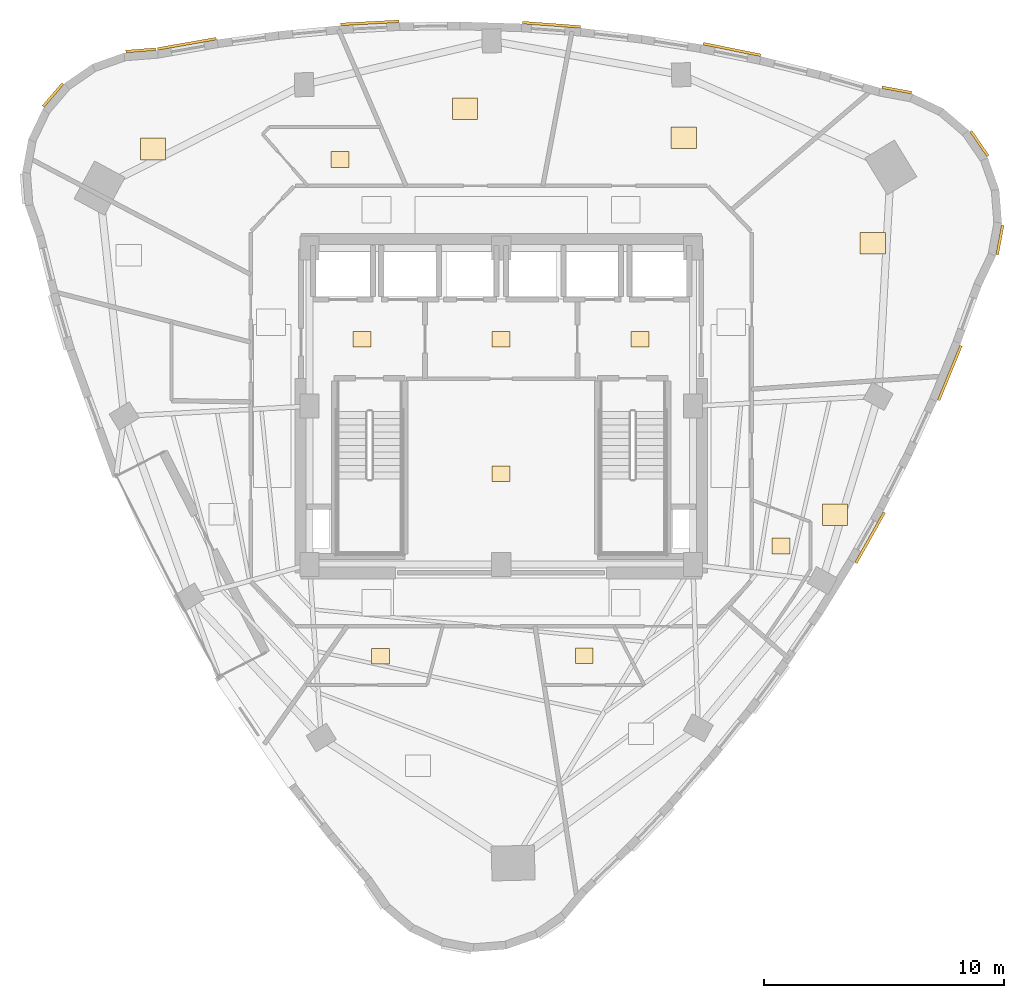
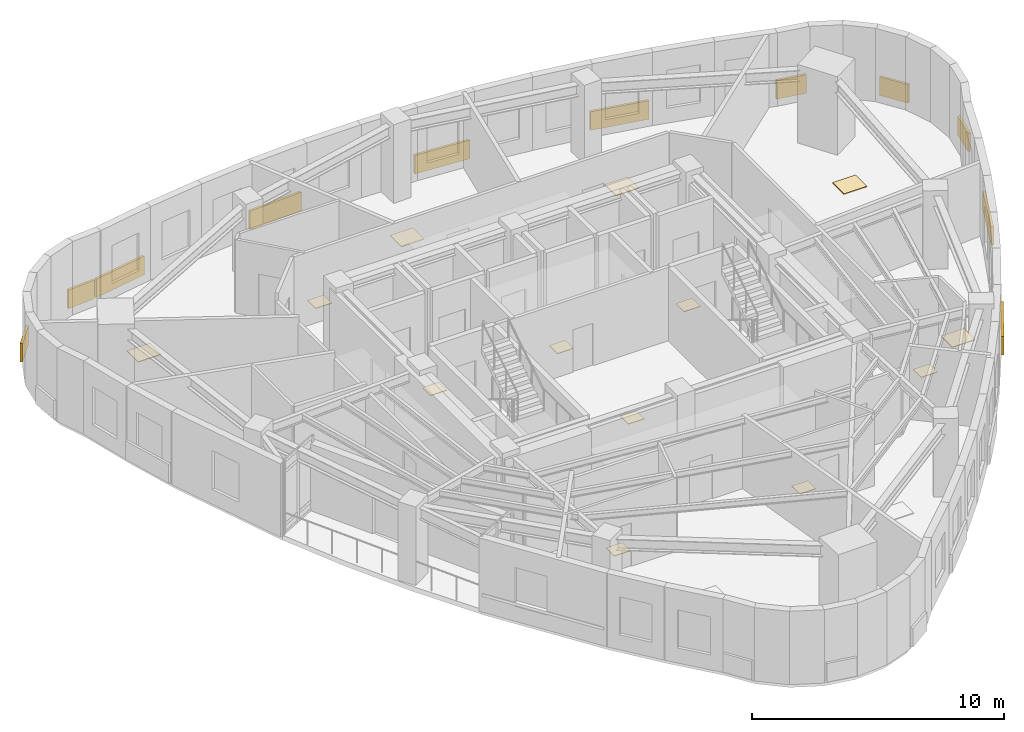
# One storey, part 12 of 12: 24 coverings.
"""IFC4 building model written with IfcOpenShell, lengths in metres."""

from ifc_helpers import new_model, si_unit, direction, frame, origin, origin_2d, place, context, subcontext, project, spatial, rectangle, extrude, material, layer, layer_set, type_object, element, save


model = new_model("IFC4")

# Units and contexts
model_context = context("Model", 3, precision=1e-05, world=origin(), true_north=direction((0.0, 1.0)))
body_context = subcontext(model_context, "Body", "Model", "MODEL_VIEW")
ifc_project = project(units=[si_unit("LENGTHUNIT", "METRE"), si_unit("AREAUNIT", "SQUARE_METRE"), si_unit("VOLUMEUNIT", "CUBIC_METRE"), si_unit("PLANEANGLEUNIT", "RADIAN"), si_unit("MASSUNIT", "GRAM", prefix="KILO")], contexts=[model_context])

# Site, building, storey
site_placement = place(None, origin())
site = spatial("IfcSite", under=ifc_project, at=site_placement, CompositionType="ELEMENT")
building_placement = place(site_placement, origin())
building = spatial("IfcBuilding", under=site, at=building_placement, Name="Ndelora Gate Hotel", CompositionType="ELEMENT")
storey_placement = place(building_placement, frame((0.0, 0.0, 201.75)))
storey = spatial("IfcBuildingStorey", under=building, at=storey_placement, Name="L50", CompositionType="ELEMENT", Elevation=201.75)

# Coverings
ifc_material_1 = material(Name="Terracotta Fired Clay Brick Slip Cladding", Category="masonry")
ifc_layer_1 = layer(ifc_material_1, 0.110107421875)
ifc_layer_set_1 = layer_set([ifc_layer_1], Name="Terracotta Fired Clay Brick Slip Cladding")
covering_type_1 = type_object("IfcCoveringType", Name="COV-CLAD-BRK", PredefinedType="CLADDING", material=ifc_layer_set_1)
covering_1_placement = place(storey_placement, frame((-15.0380859375, 14.849609375, 0.10009765625), z_axis=(0.0, 0.0, 1.0), x_axis=(0.996917333733, 0.078459095728, 0.0)))
element("IfcCovering", 1, at=covering_1_placement, inside=storey, type_object=covering_type_1, Name="L50 Rounded-Corner Brick Cladding Band 1", PredefinedType="CLADDING", context=body_context, shape_type="SweptSolid", body=[
    extrude(rectangle(XDim=1.257080078125, YDim=0.110107421875, at=origin_2d()), origin(), (0.0, 0.0, 1.0), 0.89990234375),
])
covering_2_placement = place(storey_placement, frame((-18.703125, 12.982421875, 0.10009765625), z_axis=(0.0, 0.0, 1.0), x_axis=(0.64944804833, 0.7604059656, 0.0)))
element("IfcCovering", 2, at=covering_2_placement, inside=storey, type_object=covering_type_1, Name="L50 Rounded-Corner Brick Cladding Band 4", PredefinedType="CLADDING", context=body_context, shape_type="SweptSolid", body=[
    extrude(rectangle(XDim=1.258056640625, YDim=0.110107421875, at=origin_2d()), origin(), (0.0, 0.0, 1.0), 0.89990234375),
])
covering_3_placement = place(storey_placement, frame((15.397705078125, -5.48388671875, 0.10009765625), z_axis=(0.0, 0.0, 1.0), x_axis=(0.490903753615, 0.87121381112, 0.0)))
element("IfcCovering", 3, at=covering_3_placement, inside=storey, type_object=covering_type_1, Name="L50 Rounded-Corner Brick Cladding Band 34", PredefinedType="CLADDING", context=body_context, shape_type="SweptSolid", body=[
    extrude(rectangle(XDim=2.419921875, YDim=0.110107421875, at=origin_2d()), origin(), (0.0, 0.0, 1.0), 0.89990234375),
])
covering_4_placement = place(storey_placement, frame((18.722900390625, 1.38720703125, 0.10009765625), z_axis=(0.0, 0.0, 1.0), x_axis=(0.379617633307, 0.925143476701, 0.0)))
element("IfcCovering", 4, at=covering_4_placement, inside=storey, type_object=covering_type_1, Name="L50 Rounded-Corner Brick Cladding Band 37", PredefinedType="CLADDING", context=body_context, shape_type="SweptSolid", body=[
    extrude(rectangle(XDim=2.4599609375, YDim=0.110107421875, at=origin_2d()), origin(), (0.0, 0.0, 1.0), 0.89990234375),
])
for number, where, z_axis, x_axis, name in (
    (5, (20.812744140625, 6.932861328125, 0.10009765625), (0.0, 0.0, 1.0), (0.182235525492, 0.983254907564, 0.0), "L50 Rounded-Corner Brick Cladding Band 40"),
    (6, (19.95751953125, 10.9560546875, 0.10009765625), (0.0, 0.0, 1.0), (-0.566406236925, 0.824126188622, 0.0), "L50 Rounded-Corner Brick Cladding Band 43"),
    (7, (16.508056640625, 13.1962890625, 0.10009765625), (0.0, 0.0, 1.0), (-0.983254907564, 0.182235525492, 0.0), "L50 Rounded-Corner Brick Cladding Band 46"),
):
    element("IfcCovering", number, at=place(storey_placement, frame(where, z_axis=z_axis, x_axis=x_axis)), inside=storey, type_object=covering_type_1, Name=name, PredefinedType="CLADDING", context=body_context, shape_type="SweptSolid", body=[
        extrude(rectangle(XDim=1.257080078125, YDim=0.110107421875, at=origin_2d()), origin(), (0.0, 0.0, 1.0), 0.89990234375),
    ])
covering_5_placement = place(storey_placement, frame((9.62841796875, 14.88720703125, 0.10009765625), z_axis=(0.0, 0.0, 1.0), x_axis=(-0.98040892658, 0.196972933884, 0.0)))
element("IfcCovering", 8, at=covering_5_placement, inside=storey, type_object=covering_type_1, Name="L50 Rounded-Corner Brick Cladding Band 49", PredefinedType="CLADDING", context=body_context, shape_type="SweptSolid", body=[
    extrude(rectangle(XDim=2.443115234375, YDim=0.110107421875, at=origin_2d()), origin(), (0.0, 0.0, 1.0), 0.89990234375),
])
covering_6_placement = place(storey_placement, frame((2.098388671875, 15.918212890625, 0.10009765625), z_axis=(0.0, 0.0, 1.0), x_axis=(-0.997314477224, 0.073238197128, 0.0)))
element("IfcCovering", 9, at=covering_6_placement, inside=storey, type_object=covering_type_1, Name="L50 Rounded-Corner Brick Cladding Band 52", PredefinedType="CLADDING", context=body_context, shape_type="SweptSolid", body=[
    extrude(rectangle(XDim=2.416015625, YDim=0.110107421875, at=origin_2d()), origin(), (0.0, 0.0, 1.0), 0.89990234375),
])
covering_7_placement = place(storey_placement, frame((-5.48193359375, 15.997314453125, 0.10009765625), z_axis=(0.0, 0.0, 1.0), x_axis=(0.998638653892, 0.052161661713, 0.0)))
element("IfcCovering", 10, at=covering_7_placement, inside=storey, type_object=covering_type_1, Name="L50 Rounded-Corner Brick Cladding Band 55", PredefinedType="CLADDING", context=body_context, shape_type="SweptSolid", body=[
    extrude(rectangle(XDim=2.428955078125, YDim=0.110107421875, at=origin_2d()), origin(), (0.0, 0.0, 1.0), 0.89990234375),
])
covering_8_placement = place(storey_placement, frame((-13.111083984375, 15.124267578125, 0.10009765625), z_axis=(0.0, 0.0, 1.0), x_axis=(0.984807753012, 0.173648177667, 0.0)))
element("IfcCovering", 11, at=covering_8_placement, inside=storey, type_object=covering_type_1, Name="L50 Rounded-Corner Brick Cladding Band 58", PredefinedType="CLADDING", context=body_context, shape_type="SweptSolid", body=[
    extrude(rectangle(XDim=2.48193359375, YDim=0.110107421875, at=origin_2d()), origin(), (0.0, 0.0, 1.0), 0.89990234375),
])
ifc_material_2 = material(Name="Engineered Highland Oak Parquet", Category="wood")
ifc_layer_2 = layer(ifc_material_2, 0.030029296875)
ifc_layer_set_2 = layer_set([ifc_layer_2], Name="Engineered Highland Oak Parquet")
covering_type_2 = type_object("IfcCoveringType", Name="COV-FLR-PARQ", PredefinedType="FLOORING", material=ifc_layer_set_2)
for number, where, z_axis, x_axis, name in (
    (12, (13.92919921875, -4.52099609375, 0.0), (0.0, 0.0, 1.0), (1.0, 0.0, 0.0), "L50 Diplomatic Sky Suite 5303 Oak Parquet Flooring"),
    (13, (15.507568359375, 6.798828125, 0.0), (0.0, 0.0, 1.0), (1.0, 0.0, 0.0), "L50 Summit Boardroom Office Oak Parquet Flooring"),
    (14, (7.6201171875, 11.21044921875, 0.0), (0.0, 0.0, 1.0), (1.0, 0.0, 0.0), "L50 Diplomatic Briefing Office Oak Parquet Flooring"),
    (15, (-1.505859375, 12.419921875, 0.0), (0.0, 0.0, 1.0), (1.0, 0.0, 0.0), "L50 Private Tea Cocktail Bar Oak Parquet Flooring"),
    (16, (-14.528564453125, 10.73193359375, 0.0), (0.0, 0.0, 1.0), (1.0, 0.0, 0.0), "L50 Altitude King Junior Suite 5304 Oak Parquet Flooring"),
):
    element("IfcCovering", number, at=place(storey_placement, frame(where, z_axis=z_axis, x_axis=x_axis)), inside=storey, type_object=covering_type_2, Name=name, PredefinedType="FLOORING", context=body_context, shape_type="SweptSolid", body=[
        extrude(rectangle(XDim=1.050048828125, YDim=0.89990234375, at=origin_2d()), origin(), (0.0, 0.0, 1.0), 0.030029296875),
    ])
ifc_material_3 = material(Name="Non-Slip Porcelain Wet-Room Tile", Category="ceramic")
ifc_layer_3 = layer(ifc_material_3, 0.02490234375)
ifc_layer_set_3 = layer_set([ifc_layer_3], Name="Non-Slip Porcelain Wet-Room Tile")
covering_type_3 = type_object("IfcCoveringType", Name="COV-FLR-TILE", PredefinedType="FLOORING", material=ifc_layer_set_3)
for number, where, z_axis, x_axis, name in (
    (17, (-5.800048828125, 2.800048828125, 0.0), (0.0, 0.0, 1.0), (1.0, 0.0, 0.0), "L50 Firefighting Lift Lobby West Porcelain Tile Flooring"),
    (18, (5.800048828125, 2.800048828125, 0.0), (0.0, 0.0, 1.0), (1.0, 0.0, 0.0), "L50 Firefighting Lift Lobby East Porcelain Tile Flooring"),
    (19, (0.0, 2.800048828125, 0.0), (0.0, 0.0, 1.0), (1.0, 0.0, 0.0), "L50 Central Passenger Lift Lobby Porcelain Tile Flooring"),
    (20, (0.0, -2.824951171875, 0.0), (0.0, 0.0, 1.0), (1.0, 0.0, 0.0), "L50 Core Electrical and Linen Service Store Porcelain Tile Flooring"),
    (21, (-5.040771484375, -10.436279296875, 0.0), (0.0, 0.0, 1.0), (1.0, 0.0, 0.0), "L50 En-suite Bathroom 5301 Porcelain Tile Flooring"),
    (22, (3.466796875, -10.405029296875, 0.0), (0.0, 0.0, 1.0), (1.0, 0.0, 0.0), "L50 En-suite Bathroom 5302 Porcelain Tile Flooring"),
    (23, (11.675048828125, -5.831787109375, 0.0), (0.0, 0.0, 1.0), (1.0, 0.0, 0.0), "L50 En-suite Bathroom 5303 Porcelain Tile Flooring"),
    (24, (-6.732177734375, 10.29443359375, 0.0), (0.0, 0.0, 1.0), (1.0, 0.0, 0.0), "L50 En-suite Bathroom 5304 Porcelain Tile Flooring"),
):
    element("IfcCovering", number, at=place(storey_placement, frame(where, z_axis=z_axis, x_axis=x_axis)), inside=storey, type_object=covering_type_3, Name=name, PredefinedType="FLOORING", context=body_context, shape_type="SweptSolid", body=[
        extrude(rectangle(XDim=0.75, YDim=0.64990234375, at=origin_2d()), origin(), (0.0, 0.0, 1.0), 0.02490234375),
    ])

save(model, "model.ifc")
